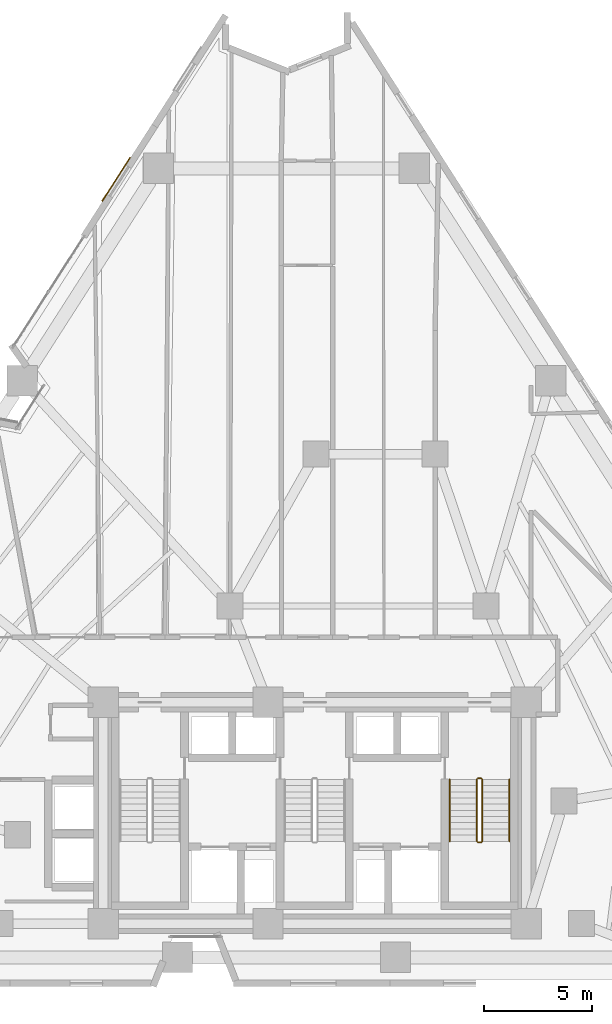
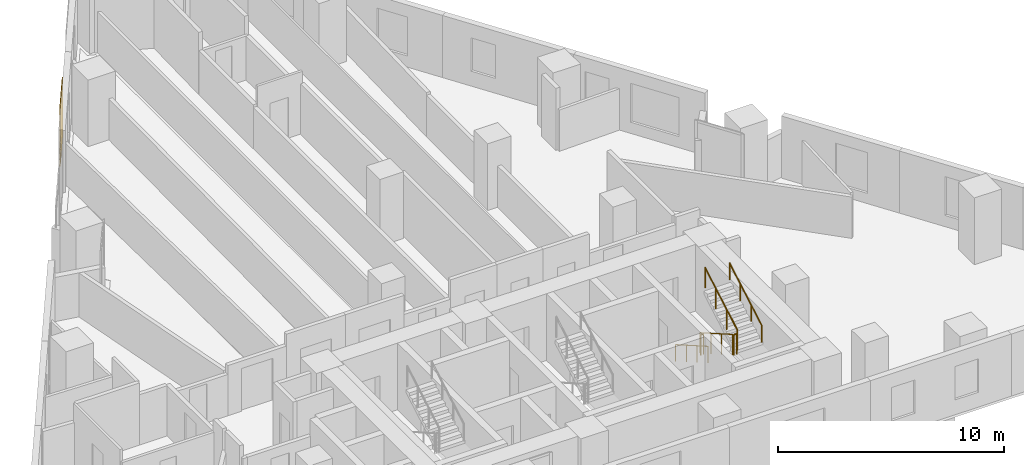
# One storey, part 14 of 15: 6 railings, 1 covering.
"""IFC4 building model written with IfcOpenShell, lengths in metres."""

from ifc_helpers import new_model, si_unit, direction, frame, origin, origin_2d, place, context, subcontext, project, spatial, rectangle, circle, extrude, material, layer, layer_set, type_object, element, save


model = new_model("IFC4")

# Units and contexts
model_context = context("Model", 3, precision=1e-05, world=origin(), true_north=direction((0.0, 1.0)))
body_context = subcontext(model_context, "Body", "Model", "MODEL_VIEW")
ifc_project = project(units=[si_unit("LENGTHUNIT", "METRE"), si_unit("AREAUNIT", "SQUARE_METRE"), si_unit("VOLUMEUNIT", "CUBIC_METRE"), si_unit("PLANEANGLEUNIT", "RADIAN"), si_unit("MASSUNIT", "GRAM", prefix="KILO")], contexts=[model_context])

# Site, building, storey
site_placement = place(None, origin())
site = spatial("IfcSite", under=ifc_project, at=site_placement, CompositionType="ELEMENT")
building_placement = place(site_placement, origin())
building = spatial("IfcBuilding", under=site, at=building_placement, Name="Almagre Mirador Tower", CompositionType="ELEMENT")
storey_placement = place(building_placement, frame((0.0, 0.0, 31.800048828125)))
storey = spatial("IfcBuildingStorey", under=building, at=storey_placement, Name="L06", CompositionType="ELEMENT", Elevation=31.800048828125)

# Covering
ifc_material_1 = material(Name="Almagre terracotta architectural cladding", Category="masonry")
ifc_layer = layer(ifc_material_1, 0.044921875)
ifc_layer_set = layer_set([ifc_layer], Name="Almagre terracotta architectural cladding")
covering_type = type_object("IfcCoveringType", Name="COV-CLAD-ALMAGRE", PredefinedType="CLADDING", material=ifc_layer_set)
covering_placement = place(storey_placement, frame((28.145751953125, 38.863525390625, 0.10009765625), z_axis=(0.0, 0.0, 1.0), x_axis=(0.539520453445, 0.841972493799, 0.0)))
element("IfcCovering", 1, at=covering_placement, inside=storey, type_object=covering_type, Name="L06 almagre terracotta pier cladding", PredefinedType="CLADDING", context=body_context, shape_type="SweptSolid", body=[
    extrude(rectangle(XDim=2.39990234375, YDim=0.044921875, at=origin_2d()), origin(), (0.0, 0.0, 1.0), 3.14990234375),
])

# Railings
ifc_material_2 = material(Name="Painted galvanized steel", Category="steel")
railing_type_1 = type_object("IfcRailingType", Name="RLG-GRD-1100", PredefinedType="GUARDRAIL", material=ifc_material_2)
railing_1_placement = place(storey_placement, frame((44.77490234375, 11.199951171875, 0.16357421875)))
element("IfcRailing", 2, at=railing_1_placement, inside=storey, type_object=railing_type_1, Name="L06 ST-3 stair guard 1", PredefinedType="GUARDRAIL", context=body_context, shape_type="SweptSolid", body=[
    extrude(circle(Radius=0.02392578125, at=origin_2d()), frame((0.0, 0.0, 1.09619140625), z_axis=(0.0, -0.867194282975, 0.497969954491), x_axis=(1.0, 0.0, 0.0)), (0.0, 0.0, 1.0), 3.286376953125),
    extrude(circle(Radius=0.02099609375, at=origin_2d()), origin(), (0.0, 0.0, 1.0), 1.072021484375),
    extrude(circle(Radius=0.02099609375, at=origin_2d()), frame((0.0, -0.949951171875, 0.54541015625)), (0.0, 0.0, 1.0), 1.072021484375),
    extrude(circle(Radius=0.02099609375, at=origin_2d()), frame((0.0, -1.89990234375, 1.091064453125)), (0.0, 0.0, 1.0), 1.072021484375),
    extrude(circle(Radius=0.02099609375, at=origin_2d()), frame((0.0, -2.849853515625, 1.636474609375)), (0.0, 0.0, 1.0), 1.072021484375),
])
railing_2_placement = place(storey_placement, frame((44.824951171875, 8.300048828125, 1.800048828125)))
element("IfcRailing", 3, at=railing_2_placement, inside=storey, type_object=railing_type_1, Name="L06 ST-3 stair guard 2", PredefinedType="GUARDRAIL", context=body_context, shape_type="SweptSolid", body=[
    extrude(circle(Radius=0.02392578125, at=origin_2d()), frame((0.0, 0.0, 1.09619140625), z_axis=(1.0, 0.0, 0.0), x_axis=(0.0, 1.0, 0.0)), (0.0, 0.0, 1.0), 0.150146484375),
    extrude(circle(Radius=0.02099609375, at=origin_2d()), origin(), (0.0, 0.0, 1.0), 1.072021484375),
    extrude(circle(Radius=0.02099609375, at=origin_2d()), frame((0.150146484375, 0.0, 0.0)), (0.0, 0.0, 1.0), 1.072021484375),
])
railing_3_placement = place(storey_placement, frame((45.02490234375, 8.35009765625, 1.963623046875)))
element("IfcRailing", 4, at=railing_3_placement, inside=storey, type_object=railing_type_1, Name="L06 ST-3 stair guard 3", PredefinedType="GUARDRAIL", context=body_context, shape_type="SweptSolid", body=[
    extrude(circle(Radius=0.02392578125, at=origin_2d()), frame((0.0, 0.0, 1.09619140625), z_axis=(0.0, 0.867226363773, 0.497914082927), x_axis=(-1.0, 0.0, 0.0)), (0.0, 0.0, 1.0), 3.2861328125),
    extrude(circle(Radius=0.02099609375, at=origin_2d()), origin(), (0.0, 0.0, 1.0), 1.072021484375),
    extrude(circle(Radius=0.02099609375, at=origin_2d()), frame((0.0, 0.949951171875, 0.54541015625)), (0.0, 0.0, 1.0), 1.072021484375),
    extrude(circle(Radius=0.02099609375, at=origin_2d()), frame((0.0, 1.89990234375, 1.0908203125)), (0.0, 0.0, 1.0), 1.072021484375),
    extrude(circle(Radius=0.02099609375, at=origin_2d()), frame((0.0, 2.849853515625, 1.63623046875)), (0.0, 0.0, 1.0), 1.072021484375),
])
railing_4_placement = place(storey_placement, frame((44.824951171875, 11.25, 0.0)))
element("IfcRailing", 5, at=railing_4_placement, inside=storey, type_object=railing_type_1, Name="L06 ST-3 stair guard 4", PredefinedType="GUARDRAIL", context=body_context, shape_type="SweptSolid", body=[
    extrude(circle(Radius=0.02392578125, at=origin_2d()), frame((0.0, 0.0, 1.09619140625), z_axis=(1.0, 0.0, 0.0), x_axis=(0.0, 1.0, 0.0)), (0.0, 0.0, 1.0), 0.150146484375),
    extrude(circle(Radius=0.02099609375, at=origin_2d()), origin(), (0.0, 0.0, 1.0), 1.072021484375),
    extrude(circle(Radius=0.02099609375, at=origin_2d()), frame((0.150146484375, 0.0, 0.0)), (0.0, 0.0, 1.0), 1.072021484375),
])
ifc_material_3 = material(Name="Brushed stainless steel", Category="steel")
railing_type_2 = type_object("IfcRailingType", Name="RLG-HND-915", PredefinedType="HANDRAIL", material=ifc_material_3)
railing_5_placement = place(storey_placement, frame((43.52490234375, 11.199951171875, 0.16357421875)))
element("IfcRailing", 6, at=railing_5_placement, inside=storey, type_object=railing_type_2, Name="L06 ST-3 stair handrail 1", PredefinedType="HANDRAIL", context=body_context, shape_type="SweptSolid", body=[
    extrude(circle(Radius=0.02392578125, at=origin_2d()), frame((0.0, 0.0, 0.89111328125), z_axis=(0.0, -0.867194282975, 0.497969954491), x_axis=(1.0, 0.0, 0.0)), (0.0, 0.0, 1.0), 3.286376953125),
    extrude(circle(Radius=0.02099609375, at=origin_2d()), origin(), (0.0, 0.0, 1.0), 0.866943359375),
    extrude(circle(Radius=0.02099609375, at=origin_2d()), frame((0.0, -0.949951171875, 0.54541015625)), (0.0, 0.0, 1.0), 0.866943359375),
    extrude(circle(Radius=0.02099609375, at=origin_2d()), frame((0.0, -1.89990234375, 1.091064453125)), (0.0, 0.0, 1.0), 0.866943359375),
    extrude(circle(Radius=0.02099609375, at=origin_2d()), frame((0.0, -2.849853515625, 1.636474609375)), (0.0, 0.0, 1.0), 0.866943359375),
])
railing_6_placement = place(storey_placement, frame((46.27490234375, 8.35009765625, 1.963623046875)))
element("IfcRailing", 7, at=railing_6_placement, inside=storey, type_object=railing_type_2, Name="L06 ST-3 stair handrail 2", PredefinedType="HANDRAIL", context=body_context, shape_type="SweptSolid", body=[
    extrude(circle(Radius=0.02392578125, at=origin_2d()), frame((0.0, 0.0, 0.89111328125), z_axis=(0.0, 0.867226363773, 0.497914082927), x_axis=(-1.0, 0.0, 0.0)), (0.0, 0.0, 1.0), 3.2861328125),
    extrude(circle(Radius=0.02099609375, at=origin_2d()), origin(), (0.0, 0.0, 1.0), 0.866943359375),
    extrude(circle(Radius=0.02099609375, at=origin_2d()), frame((0.0, 0.949951171875, 0.54541015625)), (0.0, 0.0, 1.0), 0.866943359375),
    extrude(circle(Radius=0.02099609375, at=origin_2d()), frame((0.0, 1.89990234375, 1.0908203125)), (0.0, 0.0, 1.0), 0.866943359375),
    extrude(circle(Radius=0.02099609375, at=origin_2d()), frame((0.0, 2.849853515625, 1.63623046875)), (0.0, 0.0, 1.0), 0.866943359375),
])

save(model, "model.ifc")
